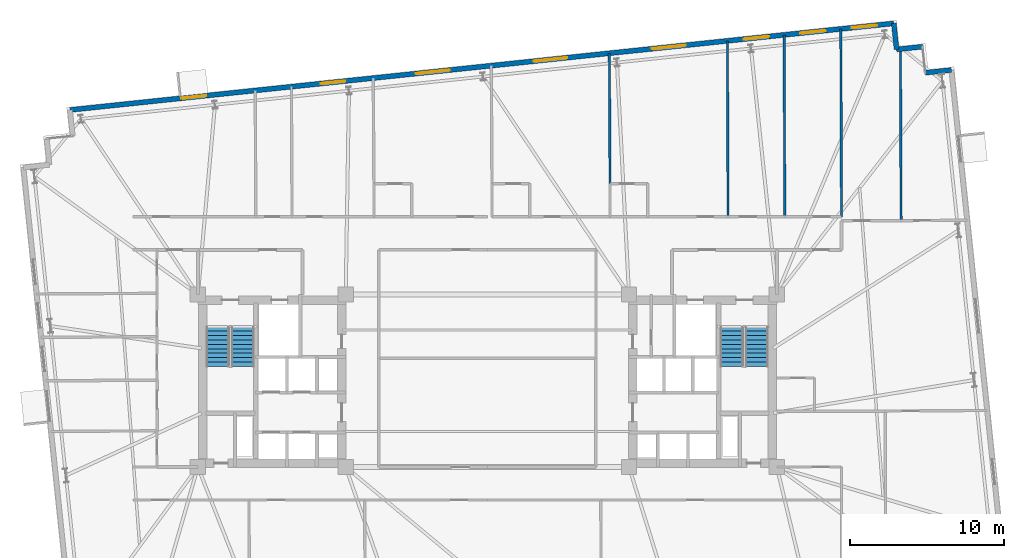
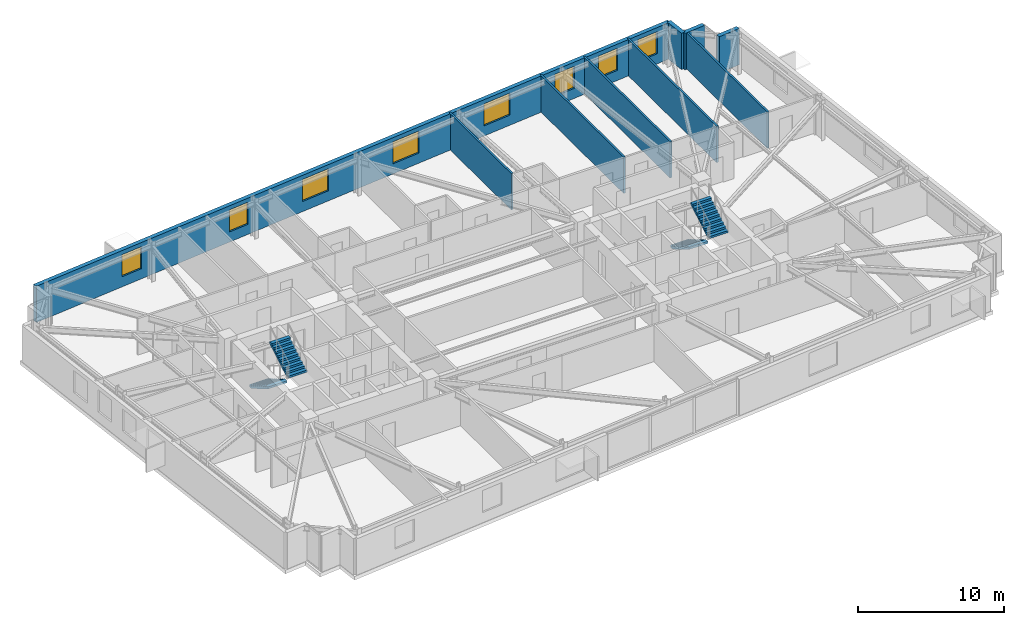
# One storey, part 20 of 22: 9 walls, 8 windows, 4 stair flights, 8 openings, 2 elements without a shape of their own.
"""IFC4 building model written with IfcOpenShell, lengths in metres."""

import ifcopenshell
import ifcopenshell.guid

model = None  # the IFC model being written
_history = None  # IfcOwnerHistory: only IFC2X3 demands one
_inside = {}  # id of a spatial element -> (the spatial element, [elements in it])
_under = {}  # id of a project, library or spatial element -> (it, [spatial elements below it])
_declared = {}  # id of a project -> (the project, [libraries it declares])
_typed = {}  # id of a type object -> (the type object, [elements of that type])
_made_of = {}  # id of a material, layer set ... -> (it, [elements and type objects made of it])


def new_model(schema):
    """Start an empty IFC model of exactly this schema.

    Asked for "IFC4X3", IfcOpenShell would pick the latest addendum, in which some entities
    have other attributes; the version numbers below select the first issue.
    IFC2X3 requires an IfcOwnerHistory on every rooted entity: one is made here for all.
    """
    global model, _history
    if schema == "IFC4X3":
        model = ifcopenshell.file(schema_version=(4, 3, 0, 0))
    else:
        model = ifcopenshell.file(schema=schema)
    _inside.clear()
    _under.clear()
    _declared.clear()
    _typed.clear()
    _made_of.clear()
    _history = None
    if model.schema == "IFC2X3":
        org = make("IfcOrganization", Name="unknown")
        user = make(
            "IfcPersonAndOrganization",
            ThePerson=make("IfcPerson", FamilyName="unknown"),
            TheOrganization=org,
        )
        app = make(
            "IfcApplication",
            ApplicationDeveloper=org,
            Version="unknown",
            ApplicationFullName="unknown",
            ApplicationIdentifier="unknown",
        )
        _history = make(
            "IfcOwnerHistory",
            OwningUser=user,
            OwningApplication=app,
            ChangeAction="ADDED",
            CreationDate=0,
        )
    return model


def make(cls, **values):
    """One entity of the class cls with the attributes given. An attribute that is None is left unset."""
    return model.create_entity(
        cls, **{name: value for name, value in values.items() if value is not None}
    )


def rooted(cls, **values):
    """An entity with a GlobalId (a new one), such as an element, a storey or a relation."""
    return make(cls, GlobalId=ifcopenshell.guid.new(), OwnerHistory=_history, **values)


def si_unit(unit_type, name, prefix=None):
    """IfcSIUnit, for example si_unit("LENGTHUNIT", "METRE", prefix="MILLI")."""
    return make("IfcSIUnit", UnitType=unit_type, Prefix=prefix, Name=name)


def assignment(units):
    """IfcUnitAssignment: the units of a project."""
    return None if units is None else make("IfcUnitAssignment", Units=units)


def point(xyz):
    """IfcCartesianPoint."""
    return None if xyz is None else make("IfcCartesianPoint", Coordinates=xyz)


def direction(xyz):
    """IfcDirection."""
    return None if xyz is None else make("IfcDirection", DirectionRatios=xyz)


def frame(location, z_axis=None, x_axis=None):
    """IfcAxis2Placement3D, a coordinate frame: its origin and axes. An axis left out is left unset."""
    return make(
        "IfcAxis2Placement3D",
        Location=point(location),
        Axis=direction(z_axis),
        RefDirection=direction(x_axis),
    )


def frame_2d(location, x_axis=None):
    """IfcAxis2Placement2D, a coordinate frame in the plane: its origin and x axis."""
    return make(
        "IfcAxis2Placement2D", Location=point(location), RefDirection=direction(x_axis)
    )


def origin():
    """The frame at (0, 0, 0) with its axes left unset."""
    return frame((0.0, 0.0, 0.0))


def place(relative_to, where):
    """IfcLocalPlacement: puts the frame where relative to a parent placement (None: the world)."""
    return make(
        "IfcLocalPlacement", PlacementRelTo=relative_to, RelativePlacement=where
    )


def context(
    kind, dimensions, precision=None, world=None, true_north=None, identifier=None
):
    """IfcGeometricRepresentationContext, for example the 3D "Model" context."""
    return make(
        "IfcGeometricRepresentationContext",
        ContextIdentifier=identifier,
        ContextType=kind,
        CoordinateSpaceDimension=dimensions,
        Precision=precision,
        WorldCoordinateSystem=world,
        TrueNorth=true_north,
    )


def subcontext(parent, identifier, kind, view, scale=None):
    """IfcGeometricRepresentationSubContext, for example "Body" below "Model"."""
    return make(
        "IfcGeometricRepresentationSubContext",
        ContextIdentifier=identifier,
        ContextType=kind,
        ParentContext=parent,
        TargetScale=scale,
        TargetView=view,
    )


def project(units=None, contexts=None):
    """IfcProject with its units and contexts."""
    return rooted(
        "IfcProject",
        Name="project",
        RepresentationContexts=contexts,
        UnitsInContext=assignment(units),
    )


def spatial(cls, under=None, at=None, **own):
    """A site, building, storey or space (cls), placed at a placement, below another one or the project."""
    s = rooted(cls, ObjectPlacement=at, **own)
    if under is not None:
        _under.setdefault(under.id(), (under, []))[1].append(s)
    return s


def polyline(points):
    """IfcPolyline through the points."""
    return make("IfcPolyline", Points=[point(p) for p in points])


def profile(cls, at=None, kind="AREA", **sizes):
    """A parametric profile (cls). Its sizes go by their IFC names, for example OverallWidth=200.0."""
    return make(cls, ProfileType=kind, Position=at, **sizes)


def rectangle(**sizes):
    """IfcRectangleProfileDef."""
    return profile("IfcRectangleProfileDef", **sizes)


def outline(outer, holes=None, kind="AREA"):
    """IfcArbitraryClosedProfileDef: a profile drawn as a closed curve; with holes, ...WithVoids."""
    if holes is None:
        return make("IfcArbitraryClosedProfileDef", ProfileType=kind, OuterCurve=outer)
    return make(
        "IfcArbitraryProfileDefWithVoids",
        ProfileType=kind,
        OuterCurve=outer,
        InnerCurves=holes,
    )


def extrude(swept, where, along, depth):
    """IfcExtrudedAreaSolid: the profile swept, set in the frame where, extruded along a direction by depth."""
    return make(
        "IfcExtrudedAreaSolid",
        SweptArea=swept,
        Position=where,
        ExtrudedDirection=direction(along),
        Depth=depth,
    )


def shape(context_of_items, identifier, shape_type, items):
    """IfcShapeRepresentation: the items that make up one representation, for example the "Body"."""
    return make(
        "IfcShapeRepresentation",
        ContextOfItems=context_of_items,
        RepresentationIdentifier=identifier,
        RepresentationType=shape_type,
        Items=items,
    )


def material(Name=None, Category=None):
    """IfcMaterial."""
    return make("IfcMaterial", Name=Name, Category=Category)


def layer(
    of_material, thickness, ventilated=None, Name=None, Category=None, Priority=None
):
    """IfcMaterialLayer: one layer of a wall or slab, of a material (None: an air gap)."""
    return make(
        "IfcMaterialLayer",
        Material=of_material,
        LayerThickness=thickness,
        IsVentilated=ventilated,
        Name=Name,
        Category=Category,
        Priority=Priority,
    )


def layer_set(layers, Name=None):
    """IfcMaterialLayerSet."""
    return make("IfcMaterialLayerSet", MaterialLayers=layers, LayerSetName=Name)


def made_of(thing, what):
    """Note that an element or type object is made of a material, layer set ...; save() writes the relation."""
    if what is not None:
        _made_of.setdefault(what.id(), (what, []))[1].append(thing)
    return thing


def type_object(cls, material=None, **own):
    """A type object (cls), such as IfcWallType, which elements share."""
    return made_of(rooted(cls, **own), material)


def element(
    cls,
    number,
    at=None,
    inside=None,
    cuts=None,
    type_object=None,
    material=None,
    context=None,
    identifier="Body",
    shape_type=None,
    held_by="IfcProductDefinitionShape",
    body=None,
    shapes=None,
    **own,
):
    """One element of the class cls, such as IfcWall. Its Tag is "e" and its number.

    at: its placement. inside: the storey or other place that contains it. cuts: it is an
    opening in that element (IfcRelVoidsElement). A single representation is given by context,
    identifier, shape_type and body (its items); several are given by shapes. held_by: the class
    of the entity that holds the representations. save() writes the other relations.
    """
    e = rooted(cls, Tag="e%d" % number, ObjectPlacement=at, **own)
    if body is not None:
        shapes = [shape(context, identifier, shape_type, body)]
    if shapes is not None:
        e.Representation = make(held_by, Representations=shapes)
    if inside is not None:
        _inside.setdefault(inside.id(), (inside, []))[1].append(e)
    if cuts is not None:
        rooted(
            "IfcRelVoidsElement", RelatingBuildingElement=cuts, RelatedOpeningElement=e
        )
    if type_object is not None:
        _typed.setdefault(type_object.id(), (type_object, []))[1].append(e)
    return made_of(e, material)


def fill(opening, filler):
    """IfcRelFillsElement: the door or window that sits in an opening."""
    return rooted(
        "IfcRelFillsElement",
        RelatingOpeningElement=opening,
        RelatedBuildingElement=filler,
    )


def aggregate(whole, parts):
    """IfcRelAggregates: a whole, such as a stair, and the parts it consists of."""
    return rooted("IfcRelAggregates", RelatingObject=whole, RelatedObjects=parts)


def save(model, path):
    """Write the relations noted so far, then the file.

    IfcRelAggregates (storeys below a building ...), IfcRelContainedInSpatialStructure (elements
    in a storey), IfcRelDefinesByType, IfcRelAssociatesMaterial and IfcRelDeclares: one each for
    every whole, place, type object, material and project.
    """
    for whole, parts in _under.values():
        aggregate(whole, parts)
    for where, things in _inside.values():
        rooted(
            "IfcRelContainedInSpatialStructure",
            RelatedElements=things,
            RelatingStructure=where,
        )
    for kind, things in _typed.values():
        rooted("IfcRelDefinesByType", RelatedObjects=things, RelatingType=kind)
    for what, things in _made_of.values():
        rooted("IfcRelAssociatesMaterial", RelatedObjects=things, RelatingMaterial=what)
    for by, libraries in _declared.values():
        rooted("IfcRelDeclares", RelatingContext=by, RelatedDefinitions=libraries)
    model.write(path)


model = new_model("IFC4")

# Units and contexts
model_context = context("Model", 3, precision=1e-05, world=origin(), true_north=direction((0.0, 1.0)))
body_context = subcontext(model_context, "Body", "Model", "MODEL_VIEW")
ifc_project = project(units=[si_unit("LENGTHUNIT", "METRE"), si_unit("AREAUNIT", "SQUARE_METRE"), si_unit("VOLUMEUNIT", "CUBIC_METRE"), si_unit("PLANEANGLEUNIT", "RADIAN"), si_unit("MASSUNIT", "GRAM", prefix="KILO")], contexts=[model_context])

# Site, building, storey
site_placement = place(None, origin())
site = spatial("IfcSite", under=ifc_project, at=site_placement, CompositionType="ELEMENT")
building_placement = place(site_placement, origin())
building = spatial("IfcBuilding", under=site, at=building_placement, Name="Qobustan Lattice House", CompositionType="ELEMENT")
storey_placement = place(building_placement, frame((0.0, 0.0, 99.10009765625)))
storey = spatial("IfcBuildingStorey", under=building, at=storey_placement, Name="L27", CompositionType="ELEMENT", Elevation=99.10009765625)

# Wall, openings, windows
ifc_material_1 = material(Name="Precast concrete C40/50", Category="concrete")
ifc_layer_1 = layer(ifc_material_1, 0.320068359375)
ifc_layer_set_1 = layer_set([ifc_layer_1], Name="Precast concrete C40/50")
wall_type_1 = type_object("IfcWallType", Name="WAL-EXT-STONE-320", PredefinedType="SOLIDWALL", material=ifc_layer_set_1)
wall_1_placement = place(storey_placement, frame((-27.107421875, 17.585693359375, 0.0), z_axis=(0.0, 0.0, 1.0), x_axis=(0.994521628355, 0.104531003701, 0.0)))
wall_1 = element("IfcWall", 1, at=wall_1_placement, inside=storey, type_object=wall_type_1, Name="L27 exterior limestone-clad wall 10", PredefinedType="SOLIDWALL", context=body_context, shape_type="SweptSolid", body=[
    extrude(rectangle(XDim=53.800048828125, YDim=0.320068359375, at=frame_2d((26.89990234375, 0.0))), origin(), (0.0, 0.0, 1.0), 3.044921875),
])
opening_1_placement = place(wall_1_placement, frame((7.260986328125, 0.0, 0.85009765625)))
opening_1 = element("IfcOpeningElement", 2, at=opening_1_placement, cuts=wall_1, Name="Opening WN-09", PredefinedType="OPENING", context=body_context, shape_type="SweptSolid", body=[
    extrude(rectangle(XDim=1.64990234375, YDim=1.85009765625, at=frame_2d((0.824951171875, 0.925048828125))), frame((0.0, 0.169921875, 0.0), z_axis=(0.0, -1.0, 0.0), x_axis=(1.0, 0.0, 0.0)), (0.0, 0.0, 1.0), 0.340087890625),
])
opening_2_placement = place(wall_1_placement, frame((16.372802734375, 0.0, 0.85009765625)))
opening_2 = element("IfcOpeningElement", 3, at=opening_2_placement, cuts=wall_1, Name="Opening WN-13", PredefinedType="OPENING", context=body_context, shape_type="SweptSolid", body=[
    extrude(rectangle(XDim=1.60009765625, YDim=1.85009765625, at=frame_2d((0.800048828125, 0.925048828125))), frame((0.0, 0.169921875, 0.0), z_axis=(0.0, -1.0, 0.0), x_axis=(1.0, 0.0, 0.0)), (0.0, 0.0, 1.0), 0.340087890625),
])
opening_3_placement = place(wall_1_placement, frame((22.59765625, 0.0, 0.85009765625)))
opening_3 = element("IfcOpeningElement", 4, at=opening_3_placement, cuts=wall_1, Name="Opening WN-03", PredefinedType="OPENING", context=body_context, shape_type="SweptSolid", body=[
    extrude(rectangle(XDim=2.199951171875, YDim=1.85009765625, at=frame_2d((1.10009765625, 0.925048828125))), frame((0.0, 0.169921875, 0.0), z_axis=(0.0, -1.0, 0.0), x_axis=(1.0, 0.0, 0.0)), (0.0, 0.0, 1.0), 0.340087890625),
])
opening_4_placement = place(wall_1_placement, frame((30.283447265625, 0.0, 0.85009765625)))
opening_4 = element("IfcOpeningElement", 5, at=opening_4_placement, cuts=wall_1, Name="Opening WN-03", PredefinedType="OPENING", context=body_context, shape_type="SweptSolid", body=[
    extrude(rectangle(XDim=2.199951171875, YDim=1.85009765625, at=frame_2d((1.10009765625, 0.925048828125))), frame((0.0, 0.169921875, 0.0), z_axis=(0.0, -1.0, 0.0), x_axis=(1.0, 0.0, 0.0)), (0.0, 0.0, 1.0), 0.340087890625),
])
opening_5_placement = place(wall_1_placement, frame((38.009033203125, 0.0, 0.85009765625)))
opening_5 = element("IfcOpeningElement", 6, at=opening_5_placement, cuts=wall_1, Name="Opening WN-03", PredefinedType="OPENING", context=body_context, shape_type="SweptSolid", body=[
    extrude(rectangle(XDim=2.199951171875, YDim=1.85009765625, at=frame_2d((1.10009765625, 0.925048828125))), frame((0.0, 0.169921875, 0.0), z_axis=(0.0, -1.0, 0.0), x_axis=(1.0, 0.0, 0.0)), (0.0, 0.0, 1.0), 0.340087890625),
])
opening_6_placement = place(wall_1_placement, frame((44.00830078125, 0.0, 0.85009765625)))
opening_6 = element("IfcOpeningElement", 7, at=opening_6_placement, cuts=wall_1, Name="Opening WN-09", PredefinedType="OPENING", context=body_context, shape_type="SweptSolid", body=[
    extrude(rectangle(XDim=1.64990234375, YDim=1.85009765625, at=frame_2d((0.824951171875, 0.925048828125))), frame((0.0, 0.169921875, 0.0), z_axis=(0.0, -1.0, 0.0), x_axis=(1.0, 0.0, 0.0)), (0.0, 0.0, 1.0), 0.340087890625),
])
opening_7_placement = place(wall_1_placement, frame((47.691162109375, 0.0, 0.85009765625)))
opening_7 = element("IfcOpeningElement", 8, at=opening_7_placement, cuts=wall_1, Name="Opening WN-09", PredefinedType="OPENING", context=body_context, shape_type="SweptSolid", body=[
    extrude(rectangle(XDim=1.64990234375, YDim=1.85009765625, at=frame_2d((0.824951171875, 0.925048828125))), frame((0.0, 0.169921875, 0.0), z_axis=(0.0, -1.0, 0.0), x_axis=(1.0, 0.0, 0.0)), (0.0, 0.0, 1.0), 0.340087890625),
])
opening_8_placement = place(wall_1_placement, frame((51.0537109375, 0.0, 0.85009765625)))
opening_8 = element("IfcOpeningElement", 9, at=opening_8_placement, cuts=wall_1, Name="Opening WN-09", PredefinedType="OPENING", context=body_context, shape_type="SweptSolid", body=[
    extrude(rectangle(XDim=1.64990234375, YDim=1.85009765625, at=frame_2d((0.824951171875, 0.925048828125))), frame((0.0, 0.169921875, 0.0), z_axis=(0.0, -1.0, 0.0), x_axis=(1.0, 0.0, 0.0)), (0.0, 0.0, 1.0), 0.340087890625),
])
ifc_material_2 = material(Name="Double-glazed low-E aluminium window", Category="aluminium")
window_type_1 = type_object("IfcWindowType", Name="WIN-BED-1600x1850", PartitioningType="SINGLE_PANEL", PredefinedType="WINDOW", material=ifc_material_2)
window_1_placement = place(opening_2_placement, origin())
window_1 = element("IfcWindow", 10, at=window_1_placement, inside=storey, type_object=window_type_1, Name="L27 Laundry utility room window", OverallHeight=1.85009765625, OverallWidth=1.60009765625, PartitioningType="SINGLE_PANEL", PredefinedType="WINDOW", context=body_context, shape_type="SweptSolid", body=[
    extrude(rectangle(XDim=1.60009765625, YDim=1.85009765625, at=frame_2d((0.800048828125, 0.925048828125))), frame((0.0, 0.030029296875, 0.0), z_axis=(0.0, -1.0, 0.0), x_axis=(1.0, 0.0, 0.0)), (0.0, 0.0, 1.0), 0.06005859375),
])
fill(opening_2, window_1)
ifc_material_3 = material(Name="Double-glazed low-E aluminium window", Category="aluminium")
window_type_2 = type_object("IfcWindowType", Name="WIN-STU-1650x1850", PartitioningType="SINGLE_PANEL", PredefinedType="WINDOW", material=ifc_material_3)
window_2_placement = place(opening_1_placement, origin())
window_2 = element("IfcWindow", 11, at=window_2_placement, inside=storey, type_object=window_type_2, Name="L27 Focus study room N1 window", OverallHeight=1.85009765625, OverallWidth=1.64990234375, PartitioningType="SINGLE_PANEL", PredefinedType="WINDOW", context=body_context, shape_type="SweptSolid", body=[
    extrude(rectangle(XDim=1.64990234375, YDim=1.85009765625, at=frame_2d((0.824951171875, 0.925048828125))), frame((0.0, 0.030029296875, 0.0), z_axis=(0.0, -1.0, 0.0), x_axis=(1.0, 0.0, 0.0)), (0.0, 0.0, 1.0), 0.06005859375),
])
fill(opening_1, window_2)
window_3_placement = place(opening_6_placement, origin())
window_3 = element("IfcWindow", 12, at=window_3_placement, inside=storey, type_object=window_type_2, Name="L27 Focus study room N6A window", OverallHeight=1.85009765625, OverallWidth=1.64990234375, PartitioningType="SINGLE_PANEL", PredefinedType="WINDOW", context=body_context, shape_type="SweptSolid", body=[
    extrude(rectangle(XDim=1.64990234375, YDim=1.85009765625, at=frame_2d((0.824951171875, 0.925048828125))), frame((0.0, 0.030029296875, 0.0), z_axis=(0.0, -1.0, 0.0), x_axis=(1.0, 0.0, 0.0)), (0.0, 0.0, 1.0), 0.06005859375),
])
fill(opening_6, window_3)
window_4_placement = place(opening_7_placement, origin())
window_4 = element("IfcWindow", 13, at=window_4_placement, inside=storey, type_object=window_type_2, Name="L27 Focus study room N6B window", OverallHeight=1.85009765625, OverallWidth=1.64990234375, PartitioningType="SINGLE_PANEL", PredefinedType="WINDOW", context=body_context, shape_type="SweptSolid", body=[
    extrude(rectangle(XDim=1.64990234375, YDim=1.85009765625, at=frame_2d((0.824951171875, 0.925048828125))), frame((0.0, 0.030029296875, 0.0), z_axis=(0.0, -1.0, 0.0), x_axis=(1.0, 0.0, 0.0)), (0.0, 0.0, 1.0), 0.06005859375),
])
fill(opening_7, window_4)
window_5_placement = place(opening_8_placement, origin())
window_5 = element("IfcWindow", 14, at=window_5_placement, inside=storey, type_object=window_type_2, Name="L27 Focus study room E3A window", OverallHeight=1.85009765625, OverallWidth=1.64990234375, PartitioningType="SINGLE_PANEL", PredefinedType="WINDOW", context=body_context, shape_type="SweptSolid", body=[
    extrude(rectangle(XDim=1.64990234375, YDim=1.85009765625, at=frame_2d((0.824951171875, 0.925048828125))), frame((0.0, 0.030029296875, 0.0), z_axis=(0.0, -1.0, 0.0), x_axis=(1.0, 0.0, 0.0)), (0.0, 0.0, 1.0), 0.06005859375),
])
fill(opening_8, window_5)
ifc_material_4 = material(Name="Double-glazed low-E aluminium window", Category="aluminium")
window_type_3 = type_object("IfcWindowType", Name="WIN-WIDE-2200x1850", PartitioningType="SINGLE_PANEL", PredefinedType="WINDOW", material=ifc_material_4)
window_6_placement = place(opening_3_placement, origin())
window_6 = element("IfcWindow", 15, at=window_6_placement, inside=storey, type_object=window_type_3, Name="L27 Kitchenette and studio apartment L27-N3 window", OverallHeight=1.85009765625, OverallWidth=2.199951171875, PartitioningType="SINGLE_PANEL", PredefinedType="WINDOW", context=body_context, shape_type="SweptSolid", body=[
    extrude(rectangle(XDim=2.199951171875, YDim=1.85009765625, at=frame_2d((1.10009765625, 0.925048828125))), frame((0.0, 0.030029296875, 0.0), z_axis=(0.0, -1.0, 0.0), x_axis=(1.0, 0.0, 0.0)), (0.0, 0.0, 1.0), 0.06005859375),
])
fill(opening_3, window_6)
window_7_placement = place(opening_4_placement, origin())
window_7 = element("IfcWindow", 16, at=window_7_placement, inside=storey, type_object=window_type_3, Name="L27 Kitchenette and studio apartment L27-N4 window", OverallHeight=1.85009765625, OverallWidth=2.199951171875, PartitioningType="SINGLE_PANEL", PredefinedType="WINDOW", context=body_context, shape_type="SweptSolid", body=[
    extrude(rectangle(XDim=2.199951171875, YDim=1.85009765625, at=frame_2d((1.10009765625, 0.925048828125))), frame((0.0, 0.030029296875, 0.0), z_axis=(0.0, -1.0, 0.0), x_axis=(1.0, 0.0, 0.0)), (0.0, 0.0, 1.0), 0.06005859375),
])
fill(opening_4, window_7)
window_8_placement = place(opening_5_placement, origin())
window_8 = element("IfcWindow", 17, at=window_8_placement, inside=storey, type_object=window_type_3, Name="L27 Kitchenette and studio apartment L27-N5 window", OverallHeight=1.85009765625, OverallWidth=2.199951171875, PartitioningType="SINGLE_PANEL", PredefinedType="WINDOW", context=body_context, shape_type="SweptSolid", body=[
    extrude(rectangle(XDim=2.199951171875, YDim=1.85009765625, at=frame_2d((1.10009765625, 0.925048828125))), frame((0.0, 0.030029296875, 0.0), z_axis=(0.0, -1.0, 0.0), x_axis=(1.0, 0.0, 0.0)), (0.0, 0.0, 1.0), 0.06005859375),
])
fill(opening_5, window_8)

# Walls
for number, where, z_axis, x_axis, name in (
    (18, (26.39794921875, 23.20947265625, 0.0), (0.0, 0.0, 1.0), (0.104550220202, -0.994519608382, 0.0), "L27 exterior limestone-clad wall 11"),
    (19, (26.57568359375, 21.518798828125, 0.0), (0.0, 0.0, 1.0), (0.994534530939, 0.104408173862, 0.0), "L27 exterior limestone-clad wall 12"),
    (20, (28.444091796875, 20.005615234375, 0.0), (0.0, 0.0, 1.0), (0.994519608382, 0.104550220202, 0.0), "L27 exterior limestone-clad wall 14"),
):
    element("IfcWall", number, at=place(storey_placement, frame(where, z_axis=z_axis, x_axis=x_axis)), inside=storey, type_object=wall_type_1, Name=name, PredefinedType="SOLIDWALL", context=body_context, shape_type="SweptSolid", body=[
        extrude(rectangle(XDim=1.699951171875, YDim=0.320068359375, at=frame_2d((0.85009765625, 0.0))), origin(), (0.0, 0.0, 1.0), 3.044921875),
    ])
ifc_material_5 = material(Name="Acoustic twin-stud gypsum partition", Category="gypsum")
ifc_layer_2 = layer(ifc_material_5, 0.14990234375)
ifc_layer_set_2 = layer_set([ifc_layer_2], Name="Acoustic twin-stud gypsum partition")
wall_type_2 = type_object("IfcWallType", Name="WAL-PART-150", PredefinedType="PARTITIONING", material=ifc_layer_set_2)
wall_2_placement = place(storey_placement, frame((26.8271484375, 21.545166015625, 0.0), z_axis=(0.0, 0.0, 1.0), x_axis=(0.003938700302, -0.99999224329, 0.0)))
element("IfcWall", 21, at=wall_2_placement, inside=storey, type_object=wall_type_2, Name="L27 interior partition 86", PredefinedType="PARTITIONING", context=body_context, shape_type="SweptSolid", body=[
    extrude(rectangle(XDim=11.1572265625, YDim=0.14990234375, at=frame_2d((5.57861328125, 0.0))), origin(), (0.0, 0.0, 1.0), 3.044921875),
])
wall_3_placement = place(storey_placement, frame((23.0, 10.64990234375, 0.0), z_axis=(0.0, 0.0, 1.0), x_axis=(-0.0036027147, 0.999993510202, 0.0)))
element("IfcWall", 22, at=wall_3_placement, inside=storey, type_object=wall_type_2, Name="L27 interior partition 87", PredefinedType="PARTITIONING", context=body_context, shape_type="SweptSolid", body=[
    extrude(rectangle(XDim=12.19775390625, YDim=0.14990234375, at=frame_2d((6.098876953125, 0.0))), origin(), (0.0, 0.0, 1.0), 3.044921875),
])
wall_4_placement = place(storey_placement, frame((7.923095703125, 21.267578125, 0.0), z_axis=(0.0, 0.0, 1.0), x_axis=(0.005189792576, -0.999986532936, 0.0)))
element("IfcWall", 23, at=wall_4_placement, inside=storey, type_object=wall_type_2, Name="L27 interior partition 98", PredefinedType="PARTITIONING", context=body_context, shape_type="SweptSolid", body=[
    extrude(rectangle(XDim=8.467529296875, YDim=0.14990234375, at=frame_2d((4.23388671875, 0.0))), origin(), (0.0, 0.0, 1.0), 3.044921875),
])
wall_5_placement = place(storey_placement, frame((15.589111328125, 22.0732421875, 0.0), z_axis=(0.0, 0.0, 1.0), x_axis=(0.003846947384, -0.999992600471, 0.0)))
element("IfcWall", 24, at=wall_5_placement, inside=storey, type_object=wall_type_2, Name="L27 interior partition 102", PredefinedType="PARTITIONING", context=body_context, shape_type="SweptSolid", body=[
    extrude(rectangle(XDim=11.42333984375, YDim=0.14990234375, at=frame_2d((5.711669921875, 0.0))), origin(), (0.0, 0.0, 1.0), 3.044921875),
])
wall_6_placement = place(storey_placement, frame((19.272705078125, 22.46044921875, 0.0), z_axis=(0.0, 0.0, 1.0), x_axis=(0.003700156578, -0.999993154397, 0.0)))
element("IfcWall", 25, at=wall_6_placement, inside=storey, type_object=wall_type_2, Name="L27 interior partition 103", PredefinedType="PARTITIONING", context=body_context, shape_type="SweptSolid", body=[
    extrude(rectangle(XDim=11.810546875, YDim=0.14990234375, at=frame_2d((5.9052734375, 0.0))), origin(), (0.0, 0.0, 1.0), 3.044921875),
])

# Stair, stair flights
ifc_material_6 = material(Name="Concrete C40/50", Category="concrete")
stair_type = type_object("IfcStairType", Name="STR-CORE-DOGLEG", PredefinedType="HALF_TURN_STAIR", material=ifc_material_6)
stair_1_placement = place(storey_placement, origin())
stair_1 = element("IfcStair", 26, at=stair_1_placement, inside=storey, type_object=stair_type, Name="L27 West protected exit stair ST-W1", PredefinedType="HALF_TURN_STAIR")
ifc_material_7 = material(Name="Concrete C40/50", Category="concrete")
stair_flight_type = type_object("IfcStairFlightType", Name="SFL-RC-1500", PredefinedType="STRAIGHT", material=ifc_material_7)
stair_flight_1_placement = place(storey_placement, frame((-17.5, 3.5, 0.0), z_axis=(0.0, 0.0, 1.0), x_axis=(0.0, -1.0, 0.0)))
stair_flight_1 = element("IfcStairFlight", 27, at=stair_flight_1_placement, type_object=stair_flight_type, Name="ST-W1 flight 1", NumberOfRisers=10, NumberOfTreads=9, PredefinedType="STRAIGHT", RiserHeight=0.1675, TreadLength=0.285, context=body_context, shape_type="SweptSolid", body=[
    extrude(outline(polyline([(0.0, 0.0), (0.0, 0.16748046875), (0.284912109375, 0.16748046875), (0.284912109375, 0.3349609375), (0.570068359375, 0.3349609375), (0.570068359375, 0.50244140625), (0.85498046875, 0.50244140625), (0.85498046875, 0.669921875), (1.139892578125, 0.669921875), (1.139892578125, 0.83740234375), (1.425048828125, 0.83740234375), (1.425048828125, 1.0048828125), (1.7099609375, 1.0048828125), (1.7099609375, 1.172607421875), (1.9951171875, 1.172607421875), (1.9951171875, 1.340087890625), (2.280029296875, 1.340087890625), (2.280029296875, 1.507568359375), (2.56494140625, 1.507568359375), (2.56494140625, 1.675048828125), (2.56494140625, 1.333740234375), (0.2958984375, 0.0), (0.0, 0.0)])), frame((0.0, 0.75, 0.0), z_axis=(0.0, -1.0, 0.0), x_axis=(1.0, 0.0, 0.0)), (0.0, 0.0, 1.0), 1.5),
])
stair_flight_2_placement = place(storey_placement, frame((-15.8798828125, 0.93505859375, 1.6748046875), z_axis=(0.0, 0.0, 1.0), x_axis=(0.0, 1.0, 0.0)))
stair_flight_2 = element("IfcStairFlight", 28, at=stair_flight_2_placement, type_object=stair_flight_type, Name="ST-W1 flight 2", NumberOfRisers=10, NumberOfTreads=9, PredefinedType="STRAIGHT", RiserHeight=0.1675, TreadLength=0.285, context=body_context, shape_type="SweptSolid", body=[
    extrude(outline(polyline([(0.0, 0.0), (0.0, 0.16748046875), (0.284912109375, 0.16748046875), (0.284912109375, 0.3349609375), (0.570068359375, 0.3349609375), (0.570068359375, 0.50244140625), (0.85498046875, 0.50244140625), (0.85498046875, 0.669921875), (1.139892578125, 0.669921875), (1.139892578125, 0.83740234375), (1.425048828125, 0.83740234375), (1.425048828125, 1.0048828125), (1.7099609375, 1.0048828125), (1.7099609375, 1.172607421875), (1.9951171875, 1.172607421875), (1.9951171875, 1.340087890625), (2.280029296875, 1.340087890625), (2.280029296875, 1.507568359375), (2.56494140625, 1.507568359375), (2.56494140625, 1.675048828125), (2.56494140625, 1.333740234375), (0.2958984375, 0.0), (0.0, 0.0)])), frame((0.0, 0.75, 0.0), z_axis=(0.0, -1.0, 0.0), x_axis=(1.0, 0.0, 0.0)), (0.0, 0.0, 1.0), 1.5),
])
aggregate(stair_1, [stair_flight_1, stair_flight_2])

stair_2_placement = place(storey_placement, origin())
stair_2 = element("IfcStair", 29, at=stair_2_placement, inside=storey, type_object=stair_type, Name="L27 East protected exit stair ST-E1", PredefinedType="HALF_TURN_STAIR")
stair_flight_3_placement = place(storey_placement, frame((15.8798828125, 3.5, 0.0), z_axis=(0.0, 0.0, 1.0), x_axis=(0.0, -1.0, 0.0)))
stair_flight_3 = element("IfcStairFlight", 30, at=stair_flight_3_placement, type_object=stair_flight_type, Name="ST-E1 flight 1", NumberOfRisers=10, NumberOfTreads=9, PredefinedType="STRAIGHT", RiserHeight=0.1675, TreadLength=0.285, context=body_context, shape_type="SweptSolid", body=[
    extrude(outline(polyline([(0.0, 0.0), (0.0, 0.16748046875), (0.284912109375, 0.16748046875), (0.284912109375, 0.3349609375), (0.570068359375, 0.3349609375), (0.570068359375, 0.50244140625), (0.85498046875, 0.50244140625), (0.85498046875, 0.669921875), (1.139892578125, 0.669921875), (1.139892578125, 0.83740234375), (1.425048828125, 0.83740234375), (1.425048828125, 1.0048828125), (1.7099609375, 1.0048828125), (1.7099609375, 1.172607421875), (1.9951171875, 1.172607421875), (1.9951171875, 1.340087890625), (2.280029296875, 1.340087890625), (2.280029296875, 1.507568359375), (2.56494140625, 1.507568359375), (2.56494140625, 1.675048828125), (2.56494140625, 1.333740234375), (0.2958984375, 0.0), (0.0, 0.0)])), frame((0.0, 0.75, 0.0), z_axis=(0.0, -1.0, 0.0), x_axis=(1.0, 0.0, 0.0)), (0.0, 0.0, 1.0), 1.5),
])
stair_flight_4_placement = place(storey_placement, frame((17.5, 0.93505859375, 1.6748046875), z_axis=(0.0, 0.0, 1.0), x_axis=(0.0, 1.0, 0.0)))
stair_flight_4 = element("IfcStairFlight", 31, at=stair_flight_4_placement, type_object=stair_flight_type, Name="ST-E1 flight 2", NumberOfRisers=10, NumberOfTreads=9, PredefinedType="STRAIGHT", RiserHeight=0.1675, TreadLength=0.285, context=body_context, shape_type="SweptSolid", body=[
    extrude(outline(polyline([(0.0, 0.0), (0.0, 0.16748046875), (0.284912109375, 0.16748046875), (0.284912109375, 0.3349609375), (0.570068359375, 0.3349609375), (0.570068359375, 0.50244140625), (0.85498046875, 0.50244140625), (0.85498046875, 0.669921875), (1.139892578125, 0.669921875), (1.139892578125, 0.83740234375), (1.425048828125, 0.83740234375), (1.425048828125, 1.0048828125), (1.7099609375, 1.0048828125), (1.7099609375, 1.172607421875), (1.9951171875, 1.172607421875), (1.9951171875, 1.340087890625), (2.280029296875, 1.340087890625), (2.280029296875, 1.507568359375), (2.56494140625, 1.507568359375), (2.56494140625, 1.675048828125), (2.56494140625, 1.333740234375), (0.2958984375, 0.0), (0.0, 0.0)])), frame((0.0, 0.75, 0.0), z_axis=(0.0, -1.0, 0.0), x_axis=(1.0, 0.0, 0.0)), (0.0, 0.0, 1.0), 1.5),
])
aggregate(stair_2, [stair_flight_3, stair_flight_4])

save(model, "model.ifc")
